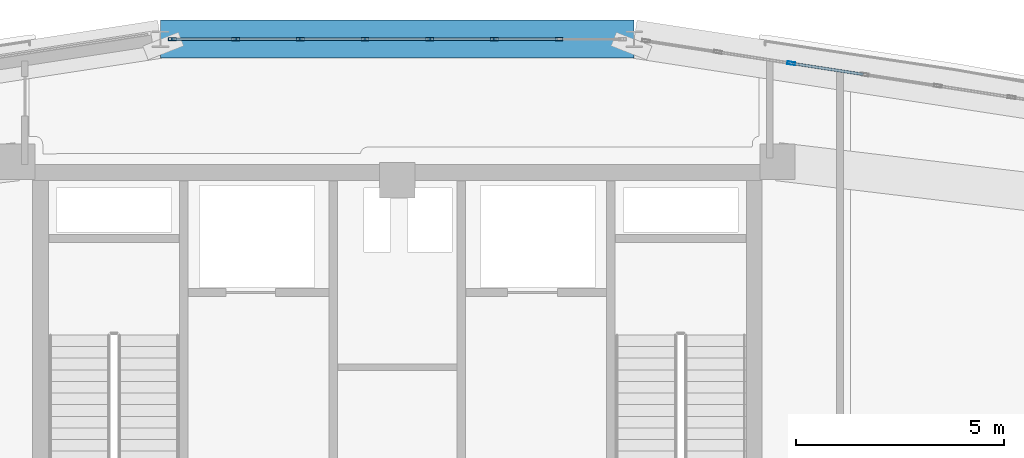
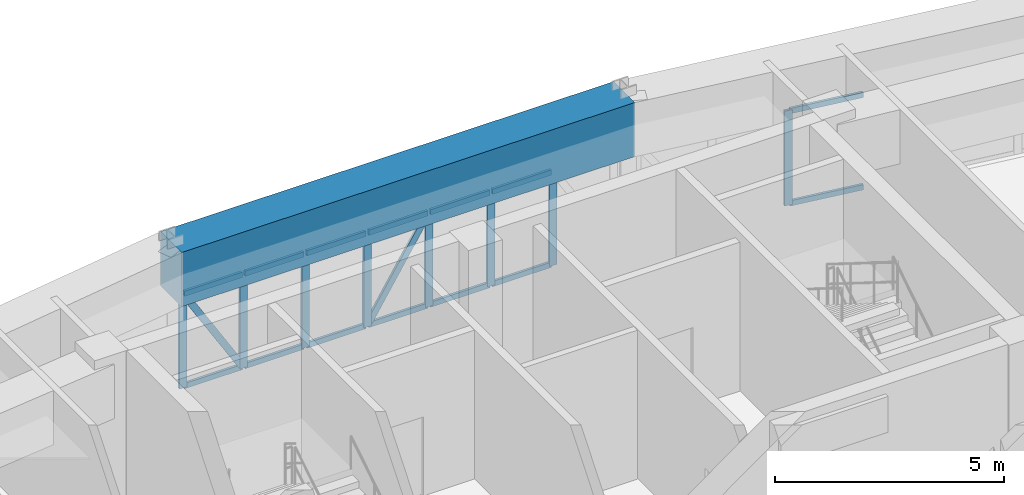
# One storey, part 9 of 18: 24 members, 1 beam, 2 elements without a shape of their own.
"""IFC4 building model written with IfcOpenShell, lengths in metres."""

from ifc_helpers import new_model, si_unit, derived_unit, direction, frame, origin, origin_2d, place, context, subcontext, project, spatial, rectangle, hollow_rectangle, extrude, source, transform, mapped, material, layer, layer_set, material_profile, profile_set, type_object, element, aggregate, save


model = new_model("IFC4")

# Units and contexts
model_context = context("Model", 3, precision=1e-05, world=origin(), true_north=direction((0.0, 1.0)))
body_context = subcontext(model_context, "Body", "Model", "MODEL_VIEW")
ifc_project = project(units=[si_unit("LENGTHUNIT", "METRE"), si_unit("AREAUNIT", "SQUARE_METRE"), si_unit("VOLUMEUNIT", "CUBIC_METRE"), si_unit("PLANEANGLEUNIT", "RADIAN"), si_unit("MASSUNIT", "GRAM", prefix="KILO"), derived_unit("THERMALTRANSMITTANCEUNIT", [(si_unit("POWERUNIT", "WATT"), 1), (si_unit("LENGTHUNIT", "METRE"), -2), (si_unit("THERMODYNAMICTEMPERATUREUNIT", "KELVIN"), -1)])], contexts=[model_context])

# Site, building, storey
site_placement = place(None, origin())
site = spatial("IfcSite", under=ifc_project, at=site_placement, CompositionType="ELEMENT")
building_placement = place(site_placement, origin())
building = spatial("IfcBuilding", under=site, at=building_placement, Name="Korsvarv Bourse and Concert Hall", CompositionType="ELEMENT")
storey_placement = place(building_placement, frame((0.0, 0.0, 275.39990234375)))
storey = spatial("IfcBuildingStorey", under=building, at=storey_placement, Name="L72", CompositionType="ELEMENT", Elevation=275.39990234375)

# Beam
ifc_material_1 = material(Name="Concrete C50/60", Category="concrete")
ifc_material_profile_1 = material_profile(ifc_material_1, rectangle(XDim=0.919921875, YDim=1.43994140625, at=origin_2d()), Name="RC-BM 920x1440")
ifc_profile_set_1 = profile_set([ifc_material_profile_1], Name="Concrete C50/60")
beam_type = type_object("IfcBeamType", Name="BM-TR-144", PredefinedType="BEAM", material=ifc_profile_set_1)
shared_shape_1 = source(origin(), body_context, "Body", "SweptSolid", [
    extrude(rectangle(XDim=0.919921875, YDim=1.43994140625, at=origin_2d()), origin(), (0.0, 0.0, 1.0), 11.3984375),
])
beam_placement = place(storey_placement, frame((41.69921875, 50.19970703125, 3.239990234375), z_axis=(-1.0, 0.0, 0.0), x_axis=(0.0, -1.0, 0.0)))
element("IfcBeam", 1, at=beam_placement, inside=storey, type_object=beam_type, Name="L72 beam B-TR4", PredefinedType="BEAM", context=body_context, shape_type="MappedRepresentation", body=[
    mapped(shared_shape_1, transform((0.0, 0.0, 0.0), scale=1.0)),
])

# Curtain wall, member
ifc_material_2 = material(Name="Anodised aluminium and triple low-E glazing", Category="glass")
ifc_layer = layer(ifc_material_2, 0.18994140625)
ifc_layer_set = layer_set([ifc_layer], Name="Anodised aluminium and triple low-E glazing")
curtain_wall_type = type_object("IfcCurtainWallType", Name="CW-SYS-4", PredefinedType="NOTDEFINED", material=ifc_layer_set)
curtain_wall_1_placement = place(storey_placement, origin())
curtain_wall_1 = element("IfcCurtainWall", 2, at=curtain_wall_1_placement, inside=storey, type_object=curtain_wall_type, Name="L72 CW4 curtain wall CW-L72-F02", PredefinedType="NOTDEFINED")
ifc_material_3 = material(Name="Extruded aluminium EN AW-6063 T66", Category="aluminium")
ifc_material_profile_2 = material_profile(ifc_material_3, hollow_rectangle(XDim=0.070068359375, YDim=0.18994140625, WallThickness=0.0048828125, at=origin_2d()), Name="ALU-M 70x190")
ifc_profile_set_2 = profile_set([ifc_material_profile_2], Name="Extruded aluminium EN AW-6063 T66")
member_type_1 = type_object("IfcMemberType", Name="CWM-190", PredefinedType="MULLION", material=ifc_profile_set_2)
shared_shape_2 = source(origin(), body_context, "Body", "SweptSolid", [
    extrude(hollow_rectangle(XDim=0.070068359375, YDim=0.18994140625, WallThickness=0.0048828125, at=origin_2d()), origin(), (0.0, 0.0, 1.0), 2.52001953125),
])
member_1_placement = place(storey_placement, frame((45.482177734375, 49.6171875, 0.0), z_axis=(0.0, 0.0, 1.0), x_axis=(-0.152233784573, -0.98834451222, 0.0)))
member_1 = element("IfcMember", 3, at=member_1_placement, type_object=member_type_1, Name="CW4 mullion 6", PredefinedType="MULLION", context=body_context, shape_type="MappedRepresentation", body=[
    mapped(shared_shape_2, transform((0.0, 0.0, 0.0), scale=1.0)),
])

# Curtain wall, members
curtain_wall_2_placement = place(storey_placement, origin())
curtain_wall_2 = element("IfcCurtainWall", 4, at=curtain_wall_2_placement, inside=storey, type_object=curtain_wall_type, Name="L72 CW4 curtain wall CW-L72-F03", PredefinedType="NOTDEFINED")
member_2_placement = place(storey_placement, frame((39.891845703125, 50.19970703125, 0.0), z_axis=(0.0, 0.0, 1.0), x_axis=(0.0, -1.0, 0.0)))
member_2 = element("IfcMember", 5, at=member_2_placement, type_object=member_type_1, Name="CW4 mullion 2", PredefinedType="MULLION", context=body_context, shape_type="MappedRepresentation", body=[
    mapped(shared_shape_2, transform((0.0, 0.0, 0.0), scale=1.0)),
])
member_3_placement = place(storey_placement, frame((38.335205078125, 50.19970703125, 0.0), z_axis=(0.0, 0.0, 1.0), x_axis=(0.0, -1.0, 0.0)))
member_3 = element("IfcMember", 6, at=member_3_placement, type_object=member_type_1, Name="CW4 mullion 3", PredefinedType="MULLION", context=body_context, shape_type="MappedRepresentation", body=[
    mapped(shared_shape_2, transform((0.0, 0.0, 0.0), scale=1.0)),
])
member_4_placement = place(storey_placement, frame((36.7783203125, 50.19970703125, 0.0), z_axis=(0.0, 0.0, 1.0), x_axis=(0.0, -1.0, 0.0)))
member_4 = element("IfcMember", 7, at=member_4_placement, type_object=member_type_1, Name="CW4 mullion 4", PredefinedType="MULLION", context=body_context, shape_type="MappedRepresentation", body=[
    mapped(shared_shape_2, transform((0.0, 0.0, 0.0), scale=1.0)),
])
member_5_placement = place(storey_placement, frame((35.2216796875, 50.19970703125, 0.0), z_axis=(0.0, 0.0, 1.0), x_axis=(0.0, -1.0, 0.0)))
member_5 = element("IfcMember", 8, at=member_5_placement, type_object=member_type_1, Name="CW4 mullion 5", PredefinedType="MULLION", context=body_context, shape_type="MappedRepresentation", body=[
    mapped(shared_shape_2, transform((0.0, 0.0, 0.0), scale=1.0)),
])
member_6_placement = place(storey_placement, frame((33.664794921875, 50.19970703125, 0.0), z_axis=(0.0, 0.0, 1.0), x_axis=(0.0, -1.0, 0.0)))
member_6 = element("IfcMember", 9, at=member_6_placement, type_object=member_type_1, Name="CW4 mullion 6", PredefinedType="MULLION", context=body_context, shape_type="MappedRepresentation", body=[
    mapped(shared_shape_2, transform((0.0, 0.0, 0.0), scale=1.0)),
])
member_7_placement = place(storey_placement, frame((32.108154296875, 50.19970703125, 0.0), z_axis=(0.0, 0.0, 1.0), x_axis=(0.0, -1.0, 0.0)))
member_7 = element("IfcMember", 10, at=member_7_placement, type_object=member_type_1, Name="CW4 mullion 7", PredefinedType="MULLION", context=body_context, shape_type="MappedRepresentation", body=[
    mapped(shared_shape_2, transform((0.0, 0.0, 0.0), scale=1.0)),
])
member_8_placement = place(storey_placement, frame((30.586181640625, 50.19970703125, 0.0), z_axis=(0.0, 0.0, 1.0), x_axis=(0.0, -1.0, 0.0)))
member_8 = element("IfcMember", 11, at=member_8_placement, type_object=member_type_1, Name="CW4 mullion 8", PredefinedType="MULLION", context=body_context, shape_type="MappedRepresentation", body=[
    mapped(shared_shape_2, transform((0.0, 0.0, 0.0), scale=1.0)),
])

# Member
ifc_material_profile_3 = material_profile(ifc_material_3, hollow_rectangle(XDim=0.06494140625, YDim=0.139892578125, WallThickness=0.00390625, at=origin_2d()), Name="ALU-T 65x140")
ifc_profile_set_3 = profile_set([ifc_material_profile_3], Name="Extruded aluminium EN AW-6063 T66")
member_type_2 = type_object("IfcMemberType", Name="CWT-140", PredefinedType="USERDEFINED", material=ifc_profile_set_3)
shared_shape_3 = source(origin(), body_context, "Body", "SweptSolid", [
    extrude(hollow_rectangle(XDim=0.06494140625, YDim=0.139892578125, WallThickness=0.00390625, at=origin_2d()), origin(), (0.0, 0.0, 1.0), 1.717041015625),
])
member_9_placement = place(storey_placement, frame((47.2138671875, 49.350341796875, 0.03271484375), z_axis=(-0.988337152959, 0.15228155529, 0.0), x_axis=(-0.15228155529, -0.988337152959, 0.0)))
member_9 = element("IfcMember", 12, at=member_9_placement, type_object=member_type_2, Name="CW4 transom 5.1", ObjectType="TRANSOM", PredefinedType="USERDEFINED", context=body_context, shape_type="MappedRepresentation", body=[
    mapped(shared_shape_3, transform((0.0, 0.0, 0.0), scale=1.0)),
])

member_10_placement = place(storey_placement, frame((47.2138671875, 49.350341796875, 2.487548828125), z_axis=(-0.988337152959, 0.15228155529, 0.0), x_axis=(-0.15228155529, -0.988337152959, 0.0)))
member_10 = element("IfcMember", 13, at=member_10_placement, type_object=member_type_2, Name="CW4 transom 5.2", ObjectType="TRANSOM", PredefinedType="USERDEFINED", context=body_context, shape_type="MappedRepresentation", body=[
    mapped(shared_shape_3, transform((0.0, 0.0, 0.0), scale=1.0)),
])

aggregate(curtain_wall_1, [member_1, member_9, member_10])

shared_shape_4 = source(origin(), body_context, "Body", "SweptSolid", [
    extrude(hollow_rectangle(XDim=0.06494140625, YDim=0.139892578125, WallThickness=0.00390625, at=origin_2d()), origin(), (0.0, 0.0, 1.0), 1.45166015625),
])
member_11_placement = place(storey_placement, frame((32.072998046875, 50.19970703125, 0.03271484375), z_axis=(-1.0, 0.0, 0.0), x_axis=(0.0, -1.0, 0.0)))
member_11 = element("IfcMember", 14, at=member_11_placement, type_object=member_type_2, Name="CW4 transom 7.1", ObjectType="TRANSOM", PredefinedType="USERDEFINED", context=body_context, shape_type="MappedRepresentation", body=[
    mapped(shared_shape_4, transform((0.0, 0.0, 0.0), scale=1.0)),
])

member_12_placement = place(storey_placement, frame((32.072998046875, 50.19970703125, 2.487548828125), z_axis=(-1.0, 0.0, 0.0), x_axis=(0.0, -1.0, 0.0)))
member_12 = element("IfcMember", 15, at=member_12_placement, type_object=member_type_2, Name="CW4 transom 7.2", ObjectType="TRANSOM", PredefinedType="USERDEFINED", context=body_context, shape_type="MappedRepresentation", body=[
    mapped(shared_shape_4, transform((0.0, 0.0, 0.0), scale=1.0)),
])

ifc_material_profile_4 = material_profile(ifc_material_3, hollow_rectangle(XDim=0.06494140625, YDim=0.1650390625, WallThickness=0.0048828125, at=origin_2d()), Name="ALU-M 65x165")
ifc_profile_set_4 = profile_set([ifc_material_profile_4], Name="Extruded aluminium EN AW-6063 T66")
member_type_3 = type_object("IfcMemberType", Name="CWM-165", PredefinedType="MULLION", material=ifc_profile_set_4)
shared_shape_5 = source(origin(), body_context, "Body", "SweptSolid", [
    extrude(hollow_rectangle(XDim=0.06494140625, YDim=0.1650390625, WallThickness=0.0048828125, at=origin_2d()), origin(), (0.0, 0.0, 1.0), 2.796142578125),
])
member_13_placement = place(storey_placement, frame((32.072998046875, 50.19970703125, 0.065185546875), z_axis=(-0.519149002084, 0.0, 0.854683750656), x_axis=(0.0, -1.0, 0.0)))
member_13 = element("IfcMember", 16, at=member_13_placement, type_object=member_type_3, Name="CW4 diagonal mullion 7", PredefinedType="MULLION", context=body_context, shape_type="MappedRepresentation", body=[
    mapped(shared_shape_5, transform((0.0, 0.0, 0.0), scale=1.0)),
])

shared_shape_6 = source(origin(), body_context, "Body", "SweptSolid", [
    extrude(hollow_rectangle(XDim=0.06494140625, YDim=0.139892578125, WallThickness=0.00390625, at=origin_2d()), origin(), (0.0, 0.0, 1.0), 1.48681640625),
])
member_14_placement = place(storey_placement, frame((39.85693359375, 50.19970703125, 0.03271484375), z_axis=(-1.0, 0.0, 0.0), x_axis=(0.0, -1.0, 0.0)))
member_14 = element("IfcMember", 17, at=member_14_placement, type_object=member_type_2, Name="CW4 transom 2.1", ObjectType="TRANSOM", PredefinedType="USERDEFINED", context=body_context, shape_type="MappedRepresentation", body=[
    mapped(shared_shape_6, transform((0.0, 0.0, 0.0), scale=1.0)),
])

member_15_placement = place(storey_placement, frame((39.85693359375, 50.19970703125, 2.487548828125), z_axis=(-1.0, 0.0, 0.0), x_axis=(0.0, -1.0, 0.0)))
member_15 = element("IfcMember", 18, at=member_15_placement, type_object=member_type_2, Name="CW4 transom 2.2", ObjectType="TRANSOM", PredefinedType="USERDEFINED", context=body_context, shape_type="MappedRepresentation", body=[
    mapped(shared_shape_6, transform((0.0, 0.0, 0.0), scale=1.0)),
])

member_16_placement = place(storey_placement, frame((36.743408203125, 50.19970703125, 0.03271484375), z_axis=(-1.0, 0.0, 0.0), x_axis=(0.0, -1.0, 0.0)))
member_16 = element("IfcMember", 19, at=member_16_placement, type_object=member_type_2, Name="CW4 transom 4.1", ObjectType="TRANSOM", PredefinedType="USERDEFINED", context=body_context, shape_type="MappedRepresentation", body=[
    mapped(shared_shape_6, transform((0.0, 0.0, 0.0), scale=1.0)),
])

member_17_placement = place(storey_placement, frame((36.743408203125, 50.19970703125, 2.487548828125), z_axis=(-1.0, 0.0, 0.0), x_axis=(0.0, -1.0, 0.0)))
member_17 = element("IfcMember", 20, at=member_17_placement, type_object=member_type_2, Name="CW4 transom 4.2", ObjectType="TRANSOM", PredefinedType="USERDEFINED", context=body_context, shape_type="MappedRepresentation", body=[
    mapped(shared_shape_6, transform((0.0, 0.0, 0.0), scale=1.0)),
])

member_18_placement = place(storey_placement, frame((33.6298828125, 50.19970703125, 0.03271484375), z_axis=(-1.0, 0.0, 0.0), x_axis=(0.0, -1.0, 0.0)))
member_18 = element("IfcMember", 21, at=member_18_placement, type_object=member_type_2, Name="CW4 transom 6.1", ObjectType="TRANSOM", PredefinedType="USERDEFINED", context=body_context, shape_type="MappedRepresentation", body=[
    mapped(shared_shape_6, transform((0.0, 0.0, 0.0), scale=1.0)),
])

member_19_placement = place(storey_placement, frame((33.6298828125, 50.19970703125, 2.487548828125), z_axis=(-1.0, 0.0, 0.0), x_axis=(0.0, -1.0, 0.0)))
member_19 = element("IfcMember", 22, at=member_19_placement, type_object=member_type_2, Name="CW4 transom 6.2", ObjectType="TRANSOM", PredefinedType="USERDEFINED", context=body_context, shape_type="MappedRepresentation", body=[
    mapped(shared_shape_6, transform((0.0, 0.0, 0.0), scale=1.0)),
])

shared_shape_7 = source(origin(), body_context, "Body", "SweptSolid", [
    extrude(hollow_rectangle(XDim=0.06494140625, YDim=0.139892578125, WallThickness=0.00390625, at=origin_2d()), origin(), (0.0, 0.0, 1.0), 1.486572265625),
])
member_20_placement = place(storey_placement, frame((38.300048828125, 50.19970703125, 0.03271484375), z_axis=(-1.0, 0.0, 0.0), x_axis=(0.0, -1.0, 0.0)))
member_20 = element("IfcMember", 23, at=member_20_placement, type_object=member_type_2, Name="CW4 transom 3.1", ObjectType="TRANSOM", PredefinedType="USERDEFINED", context=body_context, shape_type="MappedRepresentation", body=[
    mapped(shared_shape_7, transform((0.0, 0.0, 0.0), scale=1.0)),
])

member_21_placement = place(storey_placement, frame((38.300048828125, 50.19970703125, 2.487548828125), z_axis=(-1.0, 0.0, 0.0), x_axis=(0.0, -1.0, 0.0)))
member_21 = element("IfcMember", 24, at=member_21_placement, type_object=member_type_2, Name="CW4 transom 3.2", ObjectType="TRANSOM", PredefinedType="USERDEFINED", context=body_context, shape_type="MappedRepresentation", body=[
    mapped(shared_shape_7, transform((0.0, 0.0, 0.0), scale=1.0)),
])

member_22_placement = place(storey_placement, frame((35.1865234375, 50.19970703125, 0.03271484375), z_axis=(-1.0, 0.0, 0.0), x_axis=(0.0, -1.0, 0.0)))
member_22 = element("IfcMember", 25, at=member_22_placement, type_object=member_type_2, Name="CW4 transom 5.1", ObjectType="TRANSOM", PredefinedType="USERDEFINED", context=body_context, shape_type="MappedRepresentation", body=[
    mapped(shared_shape_7, transform((0.0, 0.0, 0.0), scale=1.0)),
])

member_23_placement = place(storey_placement, frame((35.1865234375, 50.19970703125, 2.487548828125), z_axis=(-1.0, 0.0, 0.0), x_axis=(0.0, -1.0, 0.0)))
member_23 = element("IfcMember", 26, at=member_23_placement, type_object=member_type_2, Name="CW4 transom 5.2", ObjectType="TRANSOM", PredefinedType="USERDEFINED", context=body_context, shape_type="MappedRepresentation", body=[
    mapped(shared_shape_7, transform((0.0, 0.0, 0.0), scale=1.0)),
])

shared_shape_8 = source(origin(), body_context, "Body", "SweptSolid", [
    extrude(hollow_rectangle(XDim=0.06494140625, YDim=0.1650390625, WallThickness=0.0048828125, at=origin_2d()), origin(), (0.0, 0.0, 1.0), 2.814697265625),
])
member_24_placement = place(storey_placement, frame((35.256591796875, 50.19970703125, 0.065185546875), z_axis=(0.528243523976, 0.0, 0.849092915633), x_axis=(0.0, 1.0, 0.0)))
member_24 = element("IfcMember", 27, at=member_24_placement, type_object=member_type_3, Name="CW4 diagonal mullion 4", PredefinedType="MULLION", context=body_context, shape_type="MappedRepresentation", body=[
    mapped(shared_shape_8, transform((0.0, 0.0, 0.0), scale=1.0)),
])

aggregate(curtain_wall_2, [member_2, member_3, member_4, member_5, member_6, member_7, member_8, member_14, member_15, member_20, member_21, member_16, member_17, member_24, member_22, member_23, member_18, member_19, member_11, member_12, member_13])

save(model, "model.ifc")
